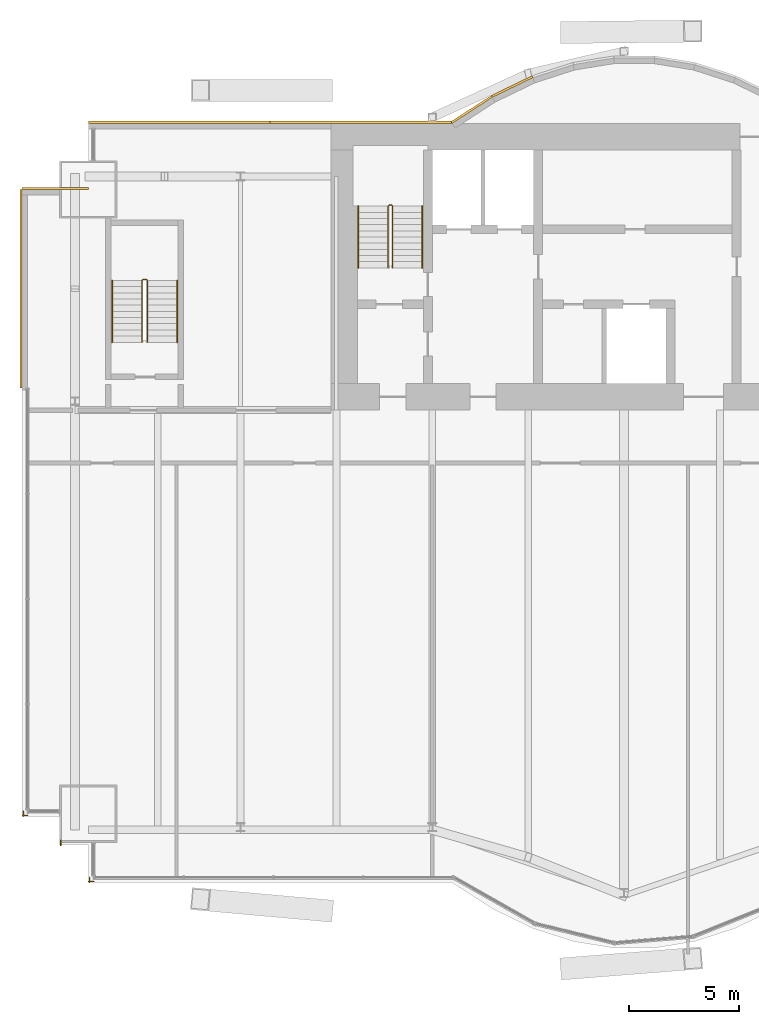
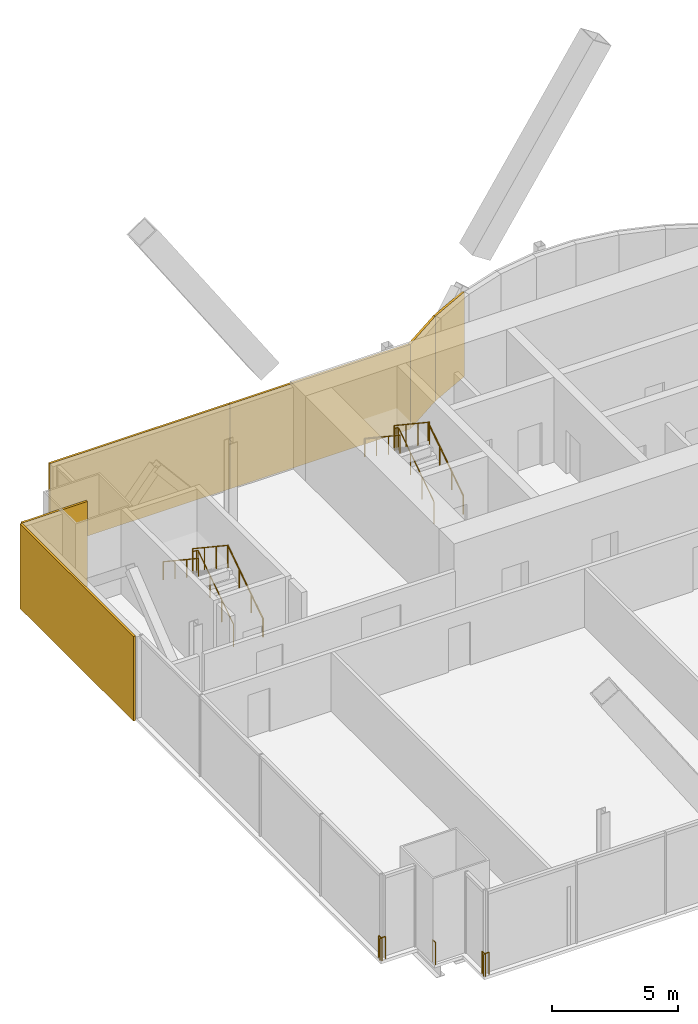
# One storey, part 20 of 22: 9 railings, 6 coverings.
"""IFC4 building model written with IfcOpenShell, lengths in metres."""

from ifc_helpers import new_model, si_unit, direction, frame, origin, origin_2d, place, context, subcontext, project, spatial, rectangle, circle, extrude, material, layer, layer_set, type_object, element, save


model = new_model("IFC4")

# Units and contexts
model_context = context("Model", 3, precision=1e-05, world=origin(), true_north=direction((0.0, 1.0)))
body_context = subcontext(model_context, "Body", "Model", "MODEL_VIEW")
ifc_project = project(units=[si_unit("LENGTHUNIT", "METRE"), si_unit("AREAUNIT", "SQUARE_METRE"), si_unit("VOLUMEUNIT", "CUBIC_METRE"), si_unit("PLANEANGLEUNIT", "RADIAN"), si_unit("MASSUNIT", "GRAM", prefix="KILO")], contexts=[model_context])

# Site, building, storey
site_placement = place(None, origin())
site = spatial("IfcSite", under=ifc_project, at=site_placement, CompositionType="ELEMENT")
building_placement = place(site_placement, origin())
building = spatial("IfcBuilding", under=site, at=building_placement, Name="Bicima Exchange Tower", CompositionType="ELEMENT")
storey_placement = place(building_placement, frame((0.0, 0.0, 169.10009765625)))
storey = spatial("IfcBuildingStorey", under=building, at=storey_placement, Name="L37", CompositionType="ELEMENT", Elevation=169.10009765625)

# Coverings
ifc_material_1 = material(Name="Bronze metal cladding")
ifc_layer_1 = layer(ifc_material_1, 0.004)
ifc_material_2 = material(Name="Ventilated cavity")
ifc_layer_2 = layer(ifc_material_2, 0.06)
ifc_material_3 = material(Name="Galvanised steel rail and mineral wool", Category="steel")
ifc_layer_3 = layer(ifc_material_3, 0.036)
ifc_layer_set = layer_set([ifc_layer_1, ifc_layer_2, ifc_layer_3], Name="Ventilated cavity")
covering_type = type_object("IfcCoveringType", Name="Bronze metal cladding panel 100", PredefinedType="CLADDING", material=ifc_layer_set)
covering_1_placement = place(storey_placement, frame((-13.771728515625, 1.674560546875, -0.150146484375), z_axis=(0.0, 0.0, 1.0), x_axis=(-0.899818346812, -0.436264762204, 0.0)))
element("IfcCovering", 1, at=covering_1_placement, inside=storey, type_object=covering_type, Name="Bronze cladding L37 18.1", PredefinedType="CLADDING", context=body_context, shape_type="SweptSolid", body=[
    extrude(rectangle(XDim=2.03759765625, YDim=0.10009765625, at=origin_2d()), origin(), (0.0, 0.0, 1.0), 4.10009765625),
])
covering_2_placement = place(storey_placement, frame((-15.610595703125, 0.634521484375, -0.150146484375), z_axis=(0.0, 0.0, 1.0), x_axis=(-0.839790466384, -0.542910648791, 0.0)))
element("IfcCovering", 2, at=covering_2_placement, inside=storey, type_object=covering_type, Name="Bronze cladding L37 19.1", PredefinedType="CLADDING", context=body_context, shape_type="SweptSolid", body=[
    extrude(rectangle(XDim=2.18310546875, YDim=0.10009765625, at=origin_2d()), origin(), (0.0, 0.0, 1.0), 4.10009765625),
])
for number, where, z_axis, x_axis, name in (
    (3, (-20.625, 0.050048828125, -0.150146484375), (0.0, 0.0, 1.0), (-1.0, 0.0, 0.0), "Bronze cladding L37 20.1"),
    (4, (-28.875, 0.050048828125, -0.150146484375), (0.0, 0.0, 1.0), (-1.0, 0.0, 0.0), "Bronze cladding L37 20.2"),
):
    element("IfcCovering", number, at=place(storey_placement, frame(where, z_axis=z_axis, x_axis=x_axis)), inside=storey, type_object=covering_type, Name=name, PredefinedType="CLADDING", context=body_context, shape_type="SweptSolid", body=[
        extrude(rectangle(XDim=8.25, YDim=0.10009765625, at=origin_2d()), origin(), (0.0, 0.0, 1.0), 4.10009765625),
    ])
covering_3_placement = place(storey_placement, frame((-34.5, -2.949951171875, -0.150146484375), z_axis=(0.0, 0.0, 1.0), x_axis=(-1.0, 0.0, 0.0)))
element("IfcCovering", 5, at=covering_3_placement, inside=storey, type_object=covering_type, Name="Bronze cladding L37 22.1", PredefinedType="CLADDING", context=body_context, shape_type="SweptSolid", body=[
    extrude(rectangle(XDim=3.0, YDim=0.10009765625, at=origin_2d()), origin(), (0.0, 0.0, 1.0), 4.10009765625),
])
covering_4_placement = place(storey_placement, frame((-36.050048828125, -7.5, -0.150146484375), z_axis=(0.0, 0.0, 1.0), x_axis=(0.0, -1.0, 0.0)))
element("IfcCovering", 6, at=covering_4_placement, inside=storey, type_object=covering_type, Name="Bronze cladding L37 23.1", PredefinedType="CLADDING", context=body_context, shape_type="SweptSolid", body=[
    extrude(rectangle(XDim=9.0, YDim=0.10009765625, at=origin_2d()), origin(), (0.0, 0.0, 1.0), 4.10009765625),
])

# Railings
ifc_material_4 = material(Name="Stainless steel and bonded safety glass", Category="steel")
railing_type_1 = type_object("IfcRailingType", Name="Edge guard 1100", PredefinedType="GUARDRAIL", material=ifc_material_4)
railing_1_placement = place(storey_placement, frame((-35.757080078125, -31.385986328125, 0.0)))
element("IfcRailing", 7, at=railing_1_placement, inside=storey, type_object=railing_type_1, Name="Edge guard L37 185", PredefinedType="GUARDRAIL", context=body_context, shape_type="SweptSolid", body=[
    extrude(circle(Radius=0.02392578125, at=origin_2d()), frame((0.0, 0.0, 1.076171875), z_axis=(-1.0, 0.0, 0.0), x_axis=(0.0, -1.0, 0.0)), (0.0, 0.0, 1.0), 0.242919921875),
    extrude(circle(Radius=0.02392578125, at=origin_2d()), frame((-0.242919921875, 0.0, 1.076171875), z_axis=(0.707106781187, -0.707106781187, 0.0), x_axis=(0.707106781187, 0.707106781187, 0.0)), (0.0, 0.0, 1.0), 0.07080078125),
    extrude(circle(Radius=0.02392578125, at=origin_2d()), frame((-0.19287109375, -0.050048828125, 1.076171875), z_axis=(0.0, 1.0, 0.0), x_axis=(-1.0, 0.0, 0.0)), (0.0, 0.0, 1.0), 0.2490234375),
    extrude(circle(Radius=0.02099609375, at=origin_2d()), origin(), (0.0, 0.0, 1.0), 1.052001953125),
    extrude(circle(Radius=0.02099609375, at=origin_2d()), frame((-0.242919921875, 0.0, 0.0)), (0.0, 0.0, 1.0), 1.052001953125),
    extrude(circle(Radius=0.02099609375, at=origin_2d()), frame((-0.19287109375, -0.050048828125, 0.0)), (0.0, 0.0, 1.0), 1.052001953125),
    extrude(circle(Radius=0.02099609375, at=origin_2d()), frame((-0.19287109375, 0.198974609375, 0.0)), (0.0, 0.0, 1.0), 1.052001953125),
])
railing_2_placement = place(storey_placement, frame((-32.75, -34.385986328125, 0.0)))
element("IfcRailing", 8, at=railing_2_placement, inside=storey, type_object=railing_type_1, Name="Edge guard L37 189", PredefinedType="GUARDRAIL", context=body_context, shape_type="SweptSolid", body=[
    extrude(circle(Radius=0.02392578125, at=origin_2d()), frame((0.0, 0.0, 1.076171875), z_axis=(-1.0, 0.0, 0.0), x_axis=(0.0, -1.0, 0.0)), (0.0, 0.0, 1.0), 0.25),
    extrude(circle(Radius=0.02392578125, at=origin_2d()), frame((-0.25, 0.0, 1.076171875), z_axis=(0.707106781187, -0.707106781187, 0.0), x_axis=(0.707106781187, 0.707106781187, 0.0)), (0.0, 0.0, 1.0), 0.07080078125),
    extrude(circle(Radius=0.02392578125, at=origin_2d()), frame((-0.199951171875, -0.050048828125, 1.076171875), z_axis=(0.0, 1.0, 0.0), x_axis=(-1.0, 0.0, 0.0)), (0.0, 0.0, 1.0), 0.242919921875),
    extrude(circle(Radius=0.02099609375, at=origin_2d()), origin(), (0.0, 0.0, 1.0), 1.052001953125),
    extrude(circle(Radius=0.02099609375, at=origin_2d()), frame((-0.25, 0.0, 0.0)), (0.0, 0.0, 1.0), 1.052001953125),
    extrude(circle(Radius=0.02099609375, at=origin_2d()), frame((-0.199951171875, -0.050048828125, 0.0)), (0.0, 0.0, 1.0), 1.052001953125),
    extrude(circle(Radius=0.02099609375, at=origin_2d()), frame((-0.199951171875, 0.19287109375, 0.0)), (0.0, 0.0, 1.0), 1.052001953125),
])
railing_3_placement = place(storey_placement, frame((-34.25, -32.736083984375, 0.0)))
element("IfcRailing", 9, at=railing_3_placement, inside=storey, type_object=railing_type_1, Name="Edge guard L37 190", PredefinedType="GUARDRAIL", context=body_context, shape_type="SweptSolid", body=[
    extrude(circle(Radius=0.02392578125, at=origin_2d()), frame((0.0, 0.0, 1.076171875), z_axis=(0.0, 1.0, 0.0), x_axis=(-1.0, 0.0, 0.0)), (0.0, 0.0, 1.0), 0.217041015625),
    extrude(circle(Radius=0.02099609375, at=origin_2d()), origin(), (0.0, 0.0, 1.0), 1.052001953125),
    extrude(circle(Radius=0.02099609375, at=origin_2d()), frame((0.0, 0.217041015625, 0.0)), (0.0, 0.0, 1.0), 1.052001953125),
])
ifc_material_5 = material(Name="Stainless steel", Category="steel")
railing_type_2 = type_object("IfcRailingType", Name="Stair guard 1100", PredefinedType="GUARDRAIL", material=ifc_material_5)
railing_4_placement = place(storey_placement, frame((-19.199951171875, -6.550048828125, 0.186279296875)))
element("IfcRailing", 10, at=railing_4_placement, inside=storey, type_object=railing_type_2, Name="L37 ST-W stair guard 1", PredefinedType="GUARDRAIL", context=body_context, shape_type="SweptSolid", body=[
    extrude(circle(Radius=0.02392578125, at=origin_2d()), frame((0.0, 0.0, 1.076171875), z_axis=(0.0, 0.832485552168, 0.554046753832), x_axis=(-1.0, 0.0, 0.0)), (0.0, 0.0, 1.0), 3.363525390625),
    extrude(circle(Radius=0.02392578125, at=origin_2d()), frame((0.0, 2.800048828125, 2.939453125), z_axis=(-0.707106781187, 0.707106781187, 0.0), x_axis=(-0.707106781187, -0.707106781187, 0.0)), (0.0, 0.0, 1.0), 0.07080078125),
    extrude(circle(Radius=0.02392578125, at=origin_2d()), frame((-0.050048828125, 2.85009765625, 2.939453125), z_axis=(-1.0, 0.0, 0.0), x_axis=(0.0, -1.0, 0.0)), (0.0, 0.0, 1.0), 0.10009765625),
    extrude(circle(Radius=0.02392578125, at=origin_2d()), frame((-0.150146484375, 2.85009765625, 2.939453125), z_axis=(-0.249722437352, -0.250946566947, 0.935235010476), x_axis=(0.708833529934, -0.705375805398, 0.0)), (0.0, 0.0, 1.0), 0.199462890625),
    extrude(circle(Radius=0.02392578125, at=origin_2d()), frame((-0.199951171875, 2.800048828125, 3.1259765625), z_axis=(0.0, -0.832485552168, 0.554046753832), x_axis=(1.0, 0.0, 0.0)), (0.0, 0.0, 1.0), 3.363525390625),
    extrude(circle(Radius=0.02099609375, at=origin_2d()), origin(), (0.0, 0.0, 1.0), 1.052001953125),
    extrude(circle(Radius=0.02099609375, at=origin_2d()), frame((0.0, 0.933349609375, 0.62109375)), (0.0, 0.0, 1.0), 1.052001953125),
    extrude(circle(Radius=0.02099609375, at=origin_2d()), frame((0.0, 1.86669921875, 1.242431640625)), (0.0, 0.0, 1.0), 1.052001953125),
    extrude(circle(Radius=0.02099609375, at=origin_2d()), frame((0.0, 2.800048828125, 1.863525390625)), (0.0, 0.0, 1.0), 1.052001953125),
    extrude(circle(Radius=0.02099609375, at=origin_2d()), frame((-0.050048828125, 2.85009765625, 1.863525390625)), (0.0, 0.0, 1.0), 1.052001953125),
    extrude(circle(Radius=0.02099609375, at=origin_2d()), frame((-0.150146484375, 2.85009765625, 1.863525390625)), (0.0, 0.0, 1.0), 1.052001953125),
    extrude(circle(Radius=0.02099609375, at=origin_2d()), frame((-0.199951171875, 2.800048828125, 2.050048828125)), (0.0, 0.0, 1.0), 1.052001953125),
    extrude(circle(Radius=0.02099609375, at=origin_2d()), frame((-0.199951171875, 1.86669921875, 2.671142578125)), (0.0, 0.0, 1.0), 1.052001953125),
    extrude(circle(Radius=0.02099609375, at=origin_2d()), frame((-0.199951171875, 0.933349609375, 3.29248046875)), (0.0, 0.0, 1.0), 1.052001953125),
    extrude(circle(Radius=0.02099609375, at=origin_2d()), frame((-0.199951171875, 0.0, 3.91357421875)), (0.0, 0.0, 1.0), 1.052001953125),
])
railing_5_placement = place(storey_placement, frame((-30.324951171875, -9.925048828125, 0.186279296875)))
element("IfcRailing", 11, at=railing_5_placement, inside=storey, type_object=railing_type_2, Name="L37 ST-WW stair guard 1", PredefinedType="GUARDRAIL", context=body_context, shape_type="SweptSolid", body=[
    extrude(circle(Radius=0.02392578125, at=origin_2d()), frame((0.0, 0.0, 1.076171875), z_axis=(0.0, 0.832485552168, 0.554046753832), x_axis=(-1.0, 0.0, 0.0)), (0.0, 0.0, 1.0), 3.363525390625),
    extrude(circle(Radius=0.02392578125, at=origin_2d()), frame((0.0, 2.800048828125, 2.939453125), z_axis=(-0.707106781187, 0.707106781187, 0.0), x_axis=(-0.707106781187, -0.707106781187, 0.0)), (0.0, 0.0, 1.0), 0.07080078125),
    extrude(circle(Radius=0.02392578125, at=origin_2d()), frame((-0.050048828125, 2.85009765625, 2.939453125), z_axis=(-1.0, 0.0, 0.0), x_axis=(0.0, -1.0, 0.0)), (0.0, 0.0, 1.0), 0.14990234375),
    extrude(circle(Radius=0.02392578125, at=origin_2d()), frame((-0.199951171875, 2.85009765625, 2.939453125), z_axis=(-0.250869701741, -0.250869701741, 0.934948546978), x_axis=(0.707106781187, -0.707106781187, 0.0)), (0.0, 0.0, 1.0), 0.199462890625),
    extrude(circle(Radius=0.02392578125, at=origin_2d()), frame((-0.25, 2.800048828125, 3.1259765625), z_axis=(0.0, -0.832485552168, 0.554046753832), x_axis=(1.0, 0.0, 0.0)), (0.0, 0.0, 1.0), 3.363525390625),
    extrude(circle(Radius=0.02099609375, at=origin_2d()), origin(), (0.0, 0.0, 1.0), 1.052001953125),
    extrude(circle(Radius=0.02099609375, at=origin_2d()), frame((0.0, 0.933349609375, 0.62109375)), (0.0, 0.0, 1.0), 1.052001953125),
    extrude(circle(Radius=0.02099609375, at=origin_2d()), frame((0.0, 1.86669921875, 1.242431640625)), (0.0, 0.0, 1.0), 1.052001953125),
    extrude(circle(Radius=0.02099609375, at=origin_2d()), frame((0.0, 2.800048828125, 1.863525390625)), (0.0, 0.0, 1.0), 1.052001953125),
    extrude(circle(Radius=0.02099609375, at=origin_2d()), frame((-0.050048828125, 2.85009765625, 1.863525390625)), (0.0, 0.0, 1.0), 1.052001953125),
    extrude(circle(Radius=0.02099609375, at=origin_2d()), frame((-0.199951171875, 2.85009765625, 1.863525390625)), (0.0, 0.0, 1.0), 1.052001953125),
    extrude(circle(Radius=0.02099609375, at=origin_2d()), frame((-0.25, 2.800048828125, 2.050048828125)), (0.0, 0.0, 1.0), 1.052001953125),
    extrude(circle(Radius=0.02099609375, at=origin_2d()), frame((-0.25, 1.86669921875, 2.671142578125)), (0.0, 0.0, 1.0), 1.052001953125),
    extrude(circle(Radius=0.02099609375, at=origin_2d()), frame((-0.25, 0.933349609375, 3.29248046875)), (0.0, 0.0, 1.0), 1.052001953125),
    extrude(circle(Radius=0.02099609375, at=origin_2d()), frame((-0.25, 0.0, 3.91357421875)), (0.0, 0.0, 1.0), 1.052001953125),
])
railing_type_3 = type_object("IfcRailingType", Name="Stair handrail 900", PredefinedType="HANDRAIL", material=ifc_material_5)
railing_6_placement = place(storey_placement, frame((-17.85009765625, -6.550048828125, 0.186279296875)))
element("IfcRailing", 12, at=railing_6_placement, inside=storey, type_object=railing_type_3, Name="L37 ST-W stair handrail 1", PredefinedType="HANDRAIL", context=body_context, shape_type="SweptSolid", body=[
    extrude(circle(Radius=0.02392578125, at=origin_2d()), frame((0.0, 0.0, 0.8759765625), z_axis=(0.0, 0.832485552168, 0.554046753832), x_axis=(-1.0, 0.0, 0.0)), (0.0, 0.0, 1.0), 3.363525390625),
    extrude(circle(Radius=0.02099609375, at=origin_2d()), origin(), (0.0, 0.0, 1.0), 0.851806640625),
    extrude(circle(Radius=0.02099609375, at=origin_2d()), frame((0.0, 0.933349609375, 0.62109375)), (0.0, 0.0, 1.0), 0.851806640625),
    extrude(circle(Radius=0.02099609375, at=origin_2d()), frame((0.0, 1.86669921875, 1.242431640625)), (0.0, 0.0, 1.0), 0.851806640625),
    extrude(circle(Radius=0.02099609375, at=origin_2d()), frame((0.0, 2.800048828125, 1.863525390625)), (0.0, 0.0, 1.0), 0.851806640625),
])
railing_7_placement = place(storey_placement, frame((-20.75, -3.75, 2.276611328125)))
element("IfcRailing", 13, at=railing_7_placement, inside=storey, type_object=railing_type_3, Name="L37 ST-W stair handrail 2", PredefinedType="HANDRAIL", context=body_context, shape_type="SweptSolid", body=[
    extrude(circle(Radius=0.02392578125, at=origin_2d()), frame((0.0, 0.0, 0.8759765625), z_axis=(0.0, -0.832452072856, 0.554097055034), x_axis=(1.0, 0.0, 0.0)), (0.0, 0.0, 1.0), 3.363525390625),
    extrude(circle(Radius=0.02099609375, at=origin_2d()), origin(), (0.0, 0.0, 1.0), 0.851806640625),
    extrude(circle(Radius=0.02099609375, at=origin_2d()), frame((0.0, -0.933349609375, 0.621337890625)), (0.0, 0.0, 1.0), 0.851806640625),
    extrude(circle(Radius=0.02099609375, at=origin_2d()), frame((0.0, -1.86669921875, 1.242431640625)), (0.0, 0.0, 1.0), 0.851806640625),
    extrude(circle(Radius=0.02099609375, at=origin_2d()), frame((0.0, -2.800048828125, 1.86376953125)), (0.0, 0.0, 1.0), 0.851806640625),
])
railing_8_placement = place(storey_placement, frame((-28.97509765625, -9.925048828125, 0.186279296875)))
element("IfcRailing", 14, at=railing_8_placement, inside=storey, type_object=railing_type_3, Name="L37 ST-WW stair handrail 1", PredefinedType="HANDRAIL", context=body_context, shape_type="SweptSolid", body=[
    extrude(circle(Radius=0.02392578125, at=origin_2d()), frame((0.0, 0.0, 0.8759765625), z_axis=(0.0, 0.832485552168, 0.554046753832), x_axis=(-1.0, 0.0, 0.0)), (0.0, 0.0, 1.0), 3.363525390625),
    extrude(circle(Radius=0.02099609375, at=origin_2d()), origin(), (0.0, 0.0, 1.0), 0.851806640625),
    extrude(circle(Radius=0.02099609375, at=origin_2d()), frame((0.0, 0.933349609375, 0.62109375)), (0.0, 0.0, 1.0), 0.851806640625),
    extrude(circle(Radius=0.02099609375, at=origin_2d()), frame((0.0, 1.86669921875, 1.242431640625)), (0.0, 0.0, 1.0), 0.851806640625),
    extrude(circle(Radius=0.02099609375, at=origin_2d()), frame((0.0, 2.800048828125, 1.863525390625)), (0.0, 0.0, 1.0), 0.851806640625),
])
railing_9_placement = place(storey_placement, frame((-31.925048828125, -7.125, 2.276611328125)))
element("IfcRailing", 15, at=railing_9_placement, inside=storey, type_object=railing_type_3, Name="L37 ST-WW stair handrail 2", PredefinedType="HANDRAIL", context=body_context, shape_type="SweptSolid", body=[
    extrude(circle(Radius=0.02392578125, at=origin_2d()), frame((0.0, 0.0, 0.8759765625), z_axis=(0.0, -0.832452072856, 0.554097055034), x_axis=(1.0, 0.0, 0.0)), (0.0, 0.0, 1.0), 3.363525390625),
    extrude(circle(Radius=0.02099609375, at=origin_2d()), origin(), (0.0, 0.0, 1.0), 0.851806640625),
    extrude(circle(Radius=0.02099609375, at=origin_2d()), frame((0.0, -0.933349609375, 0.621337890625)), (0.0, 0.0, 1.0), 0.851806640625),
    extrude(circle(Radius=0.02099609375, at=origin_2d()), frame((0.0, -1.86669921875, 1.242431640625)), (0.0, 0.0, 1.0), 0.851806640625),
    extrude(circle(Radius=0.02099609375, at=origin_2d()), frame((0.0, -2.800048828125, 1.86376953125)), (0.0, 0.0, 1.0), 0.851806640625),
])

save(model, "model.ifc")
